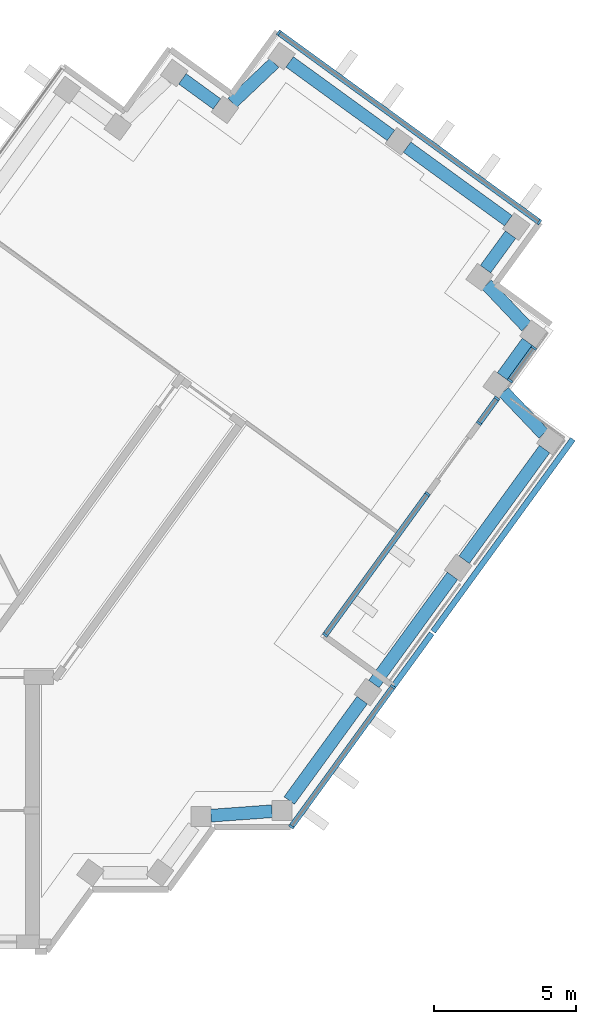
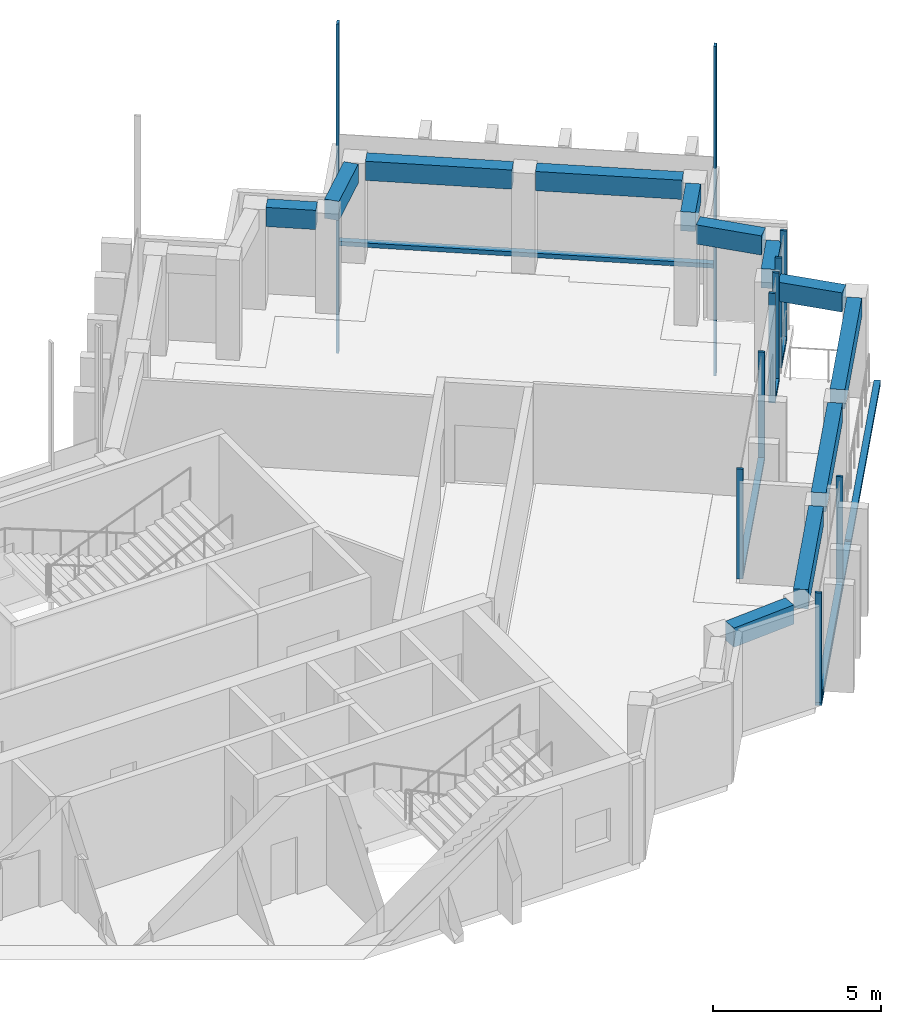
"""IFC4 building model written with IfcOpenShell, lengths in metres."""

from ifc_helpers import new_model, si_unit, direction, frame, origin, origin_2d, place, context, subcontext, project, spatial, rectangle, extrude, material, material_profile, profile_set, type_object, element, aggregate, save


model = new_model("IFC4")

# Units and contexts
model_context = context("Model", 3, precision=1e-05, world=origin(), true_north=direction((0.0, 1.0)))
body_context = subcontext(model_context, "Body", "Model", "MODEL_VIEW")
ifc_project = project(units=[si_unit("LENGTHUNIT", "METRE"), si_unit("AREAUNIT", "SQUARE_METRE"), si_unit("VOLUMEUNIT", "CUBIC_METRE"), si_unit("PLANEANGLEUNIT", "RADIAN"), si_unit("MASSUNIT", "GRAM", prefix="KILO")], contexts=[model_context])

# Site, building, storey
site_placement = place(None, origin())
site = spatial("IfcSite", under=ifc_project, at=site_placement, CompositionType="ELEMENT")
building_placement = place(site_placement, origin())
building = spatial("IfcBuilding", under=site, at=building_placement, Name="Quipu Civic Tower", CompositionType="ELEMENT")
storey_1_placement = place(building_placement, frame((0.0, 0.0, 311.0)))
storey_1 = spatial("IfcBuildingStorey", under=building, at=storey_1_placement, Name="L72", CompositionType="ELEMENT", Elevation=311.0)

# Curtain wall, members
ifc_material_1 = material(Name="Insulated glass unit", Category="glass")
curtain_wall_type = type_object("IfcCurtainWallType", Name="Office curtain wall CW1", PredefinedType="NOTDEFINED", material=ifc_material_1)
curtain_wall_1_placement = place(storey_1_placement, origin())
curtain_wall_1 = element("IfcCurtainWall", 1, at=curtain_wall_1_placement, inside=storey_1, type_object=curtain_wall_type, Name="Office curtain wall CW1 L72 run 1", PredefinedType="NOTDEFINED")
ifc_material_2 = material(Name="Anodised aluminium", Category="aluminium")
ifc_material_profile_1 = material_profile(ifc_material_2, rectangle(XDim=0.199951171875, YDim=0.080078125, at=origin_2d()), Name="RECT 200x80")
ifc_profile_set_1 = profile_set([ifc_material_profile_1], Name="Anodised aluminium")
member_type_1 = type_object("IfcMemberType", Name="Mullion CW1", PredefinedType="MULLION", material=ifc_profile_set_1)
member_1_placement = place(storey_1_placement, frame((28.853271484375, -6.698974609375, 0.080078125), z_axis=(0.0, 0.0, 1.0), x_axis=(-0.809021200129, 0.587779463525, 0.0)))
member_1 = element("IfcMember", 2, at=member_1_placement, type_object=member_type_1, Name="CW1 mullion 1", PredefinedType="MULLION", context=body_context, shape_type="SweptSolid", body=[
    extrude(rectangle(XDim=0.199951171875, YDim=0.080078125, at=origin_2d()), origin(), (0.0, 0.0, 1.0), 4.0),
])
member_2_placement = place(storey_1_placement, frame((32.424560546875, -1.783447265625, 0.080078125), z_axis=(0.0, 0.0, 1.0), x_axis=(-0.809021200129, 0.587779463525, 0.0)))
member_2 = element("IfcMember", 3, at=member_2_placement, type_object=member_type_1, Name="CW1 mullion 2", PredefinedType="MULLION", context=body_context, shape_type="SweptSolid", body=[
    extrude(rectangle(XDim=0.199951171875, YDim=0.080078125, at=origin_2d()), origin(), (0.0, 0.0, 1.0), 4.0),
])

curtain_wall_2_placement = place(storey_1_placement, origin())
curtain_wall_2 = element("IfcCurtainWall", 4, at=curtain_wall_2_placement, inside=storey_1, type_object=curtain_wall_type, Name="Office curtain wall CW1 L72 run 3", PredefinedType="NOTDEFINED")
member_3_placement = place(storey_1_placement, frame((30.04443359375, 0.04443359375, 0.080078125), z_axis=(0.0, 0.0, 1.0), x_axis=(-0.809015003837, 0.587787992023, 0.0)))
member_3 = element("IfcMember", 5, at=member_3_placement, type_object=member_type_1, Name="CW1 mullion 1", PredefinedType="MULLION", context=body_context, shape_type="SweptSolid", body=[
    extrude(rectangle(XDim=0.199951171875, YDim=0.080078125, at=origin_2d()), origin(), (0.0, 0.0, 1.0), 4.0),
])
member_4_placement = place(storey_1_placement, frame((33.6416015625, 4.995361328125, 0.080078125), z_axis=(0.0, 0.0, 1.0), x_axis=(-0.809015003837, 0.587787992023, 0.0)))
member_4 = element("IfcMember", 6, at=member_4_placement, type_object=member_type_1, Name="CW1 mullion 2", PredefinedType="MULLION", context=body_context, shape_type="SweptSolid", body=[
    extrude(rectangle(XDim=0.199951171875, YDim=0.080078125, at=origin_2d()), origin(), (0.0, 0.0, 1.0), 4.0),
])

curtain_wall_3_placement = place(storey_1_placement, origin())
curtain_wall_3 = element("IfcCurtainWall", 7, at=curtain_wall_3_placement, inside=storey_1, type_object=curtain_wall_type, Name="Office curtain wall CW1 L72 run 5", PredefinedType="NOTDEFINED")
member_5_placement = place(storey_1_placement, frame((35.451904296875, 7.487060546875, 0.080078125), z_axis=(0.0, 0.0, 1.0), x_axis=(-0.808995421805, 0.587814943242, 0.0)))
member_5 = element("IfcMember", 8, at=member_5_placement, type_object=member_type_1, Name="CW1 mullion 1", PredefinedType="MULLION", context=body_context, shape_type="SweptSolid", body=[
    extrude(rectangle(XDim=0.199951171875, YDim=0.080078125, at=origin_2d()), origin(), (0.0, 0.0, 1.0), 4.0),
])
member_6_placement = place(storey_1_placement, frame((36.080810546875, 8.352783203125, 0.080078125), z_axis=(0.0, 0.0, 1.0), x_axis=(-0.808995421805, 0.587814943242, 0.0)))
member_6 = element("IfcMember", 9, at=member_6_placement, type_object=member_type_1, Name="CW1 mullion 2", PredefinedType="MULLION", context=body_context, shape_type="SweptSolid", body=[
    extrude(rectangle(XDim=0.199951171875, YDim=0.080078125, at=origin_2d()), origin(), (0.0, 0.0, 1.0), 4.0),
])

curtain_wall_4_placement = place(storey_1_placement, origin())
curtain_wall_4 = element("IfcCurtainWall", 10, at=curtain_wall_4_placement, inside=storey_1, type_object=curtain_wall_type, Name="Office curtain wall CW1 L72 run 6", PredefinedType="NOTDEFINED")
member_7_placement = place(storey_1_placement, frame((36.539306640625, 8.98388671875, 0.080078125), z_axis=(0.0, 0.0, 1.0), x_axis=(-0.809027142165, 0.587771284804, 0.0)))
member_7 = element("IfcMember", 11, at=member_7_placement, type_object=member_type_1, Name="CW1 mullion 1", PredefinedType="MULLION", context=body_context, shape_type="SweptSolid", body=[
    extrude(rectangle(XDim=0.199951171875, YDim=0.080078125, at=origin_2d()), origin(), (0.0, 0.0, 1.0), 4.0),
])
member_8_placement = place(storey_1_placement, frame((37.3740234375, 10.1328125, 0.080078125), z_axis=(0.0, 0.0, 1.0), x_axis=(-0.809027142165, 0.587771284804, 0.0)))
member_8 = element("IfcMember", 12, at=member_8_placement, type_object=member_type_1, Name="CW1 mullion 2", PredefinedType="MULLION", context=body_context, shape_type="SweptSolid", body=[
    extrude(rectangle(XDim=0.199951171875, YDim=0.080078125, at=origin_2d()), origin(), (0.0, 0.0, 1.0), 4.0),
])

curtain_wall_5_placement = place(storey_1_placement, origin())
curtain_wall_5 = element("IfcCurtainWall", 13, at=curtain_wall_5_placement, inside=storey_1, type_object=curtain_wall_type, Name="Office curtain wall CW1 L71 run 6", PredefinedType="NOTDEFINED")
member_9_placement = place(storey_1_placement, frame((37.569091796875, 14.552490234375, -3.919921875), z_axis=(0.0, 0.0, 1.0), x_axis=(-0.587787753918, -0.809015176832, 0.0)))
member_9 = element("IfcMember", 14, at=member_9_placement, type_object=member_type_1, Name="CW1 mullion 1", PredefinedType="MULLION", context=body_context, shape_type="SweptSolid", body=[
    extrude(rectangle(XDim=0.199951171875, YDim=0.080078125, at=origin_2d()), origin(), (0.0, 0.0, 1.0), 12.0),
])
member_10_placement = place(storey_1_placement, frame((28.4111328125, 21.206298828125, -3.919921875), z_axis=(0.0, 0.0, 1.0), x_axis=(-0.587787753918, -0.809015176832, 0.0)))
member_10 = element("IfcMember", 15, at=member_10_placement, type_object=member_type_1, Name="CW1 mullion 2", PredefinedType="MULLION", context=body_context, shape_type="SweptSolid", body=[
    extrude(rectangle(XDim=0.199951171875, YDim=0.080078125, at=origin_2d()), origin(), (0.0, 0.0, 1.0), 12.0),
])

# Beams
ifc_material_3 = material(Name="Concrete C50/60", Category="concrete")
ifc_material_profile_2 = material_profile(ifc_material_3, rectangle(XDim=0.449951171875, YDim=0.699951171875, at=origin_2d()), Name="RC450x700")
ifc_profile_set_2 = profile_set([ifc_material_profile_2], Name="Concrete C50/60")
beam_type = type_object("IfcBeamType", Name="Spandrel beam RC 450x700 C50/60", PredefinedType="SPANDREL", material=ifc_profile_set_2)
beam_1_placement = place(storey_1_placement, frame((26.0244140625, -6.3115234375, 3.300048828125), z_axis=(0.997379352029, 0.072349347934, 0.0), x_axis=(-0.072349347934, 0.997379352029, 0.0)))
element("IfcBeam", 16, at=beam_1_placement, inside=storey_1, type_object=beam_type, Name="Spandrel beam L72 J-Eo.3 to J-Eo.4", PredefinedType="SPANDREL", context=body_context, shape_type="SweptSolid", body=[
    extrude(rectangle(XDim=0.449951171875, YDim=0.699951171875, at=origin_2d()), origin(), (0.0, 0.0, 1.0), 2.15625),
])
beam_2_placement = place(storey_1_placement, frame((28.779296875, -5.780029296875, 3.300048828125), z_axis=(0.58777550284, 0.809024077677, 0.0), x_axis=(-0.809024077677, 0.58777550284, 0.0)))
element("IfcBeam", 17, at=beam_2_placement, inside=storey_1, type_object=beam_type, Name="Spandrel beam L72 J-Eo.4 to E-OUT-01", PredefinedType="SPANDREL", context=body_context, shape_type="SweptSolid", body=[
    extrude(rectangle(XDim=0.449951171875, YDim=0.699951171875, at=origin_2d()), origin(), (0.0, 0.0, 1.0), 4.36083984375),
])
beam_3_placement = place(storey_1_placement, frame((31.75390625, -1.685546875, 3.300048828125), z_axis=(0.587788656305, 0.809014521204, 0.0), x_axis=(-0.809014521204, 0.587788656305, 0.0)))
element("IfcBeam", 18, at=beam_3_placement, inside=storey_1, type_object=beam_type, Name="Spandrel beam L72 E-OUT-01 to E-OUT-02", PredefinedType="SPANDREL", context=body_context, shape_type="SweptSolid", body=[
    extrude(rectangle(XDim=0.449951171875, YDim=0.699951171875, at=origin_2d()), origin(), (0.0, 0.0, 1.0), 4.7001953125),
])
beam_4_placement = place(storey_1_placement, frame((34.927978515625, 2.68310546875, 3.300048828125), z_axis=(0.587905928359, 0.808929304328, 0.0), x_axis=(-0.808929304328, 0.587905928359, 0.0)))
element("IfcBeam", 19, at=beam_4_placement, inside=storey_1, type_object=beam_type, Name="Spandrel beam L72 E-OUT-02 to T-Eo.0-E22", PredefinedType="SPANDREL", context=body_context, shape_type="SweptSolid", body=[
    extrude(rectangle(XDim=0.449951171875, YDim=0.699951171875, at=origin_2d()), origin(), (0.0, 0.0, 1.0), 4.80712890625),
])
beam_5_placement = place(storey_1_placement, frame((37.71484375, 7.11279296875, 3.300048828125), z_axis=(-0.689175330605, 0.724594620244, 0.0), x_axis=(-0.724594620244, -0.689175330605, 0.0)))
element("IfcBeam", 20, at=beam_5_placement, inside=storey_1, type_object=beam_type, Name="Spandrel beam L72 T-Eo.0-E22 to T-Eo.1-E22", PredefinedType="SPANDREL", context=body_context, shape_type="SweptSolid", body=[
    extrude(rectangle(XDim=0.449951171875, YDim=0.699951171875, at=origin_2d()), origin(), (0.0, 0.0, 1.0), 2.033447265625),
])
beam_6_placement = place(storey_1_placement, frame((36.273681640625, 9.12744140625, 3.300048828125), z_axis=(0.587164895097, 0.809467347066, 0.0), x_axis=(-0.809467347066, 0.587164895097, 0.0)))
element("IfcBeam", 21, at=beam_6_placement, inside=storey_1, type_object=beam_type, Name="Spandrel beam L72 T-Eo.1-E22 to T-Eo.2-E22", PredefinedType="SPANDREL", context=body_context, shape_type="SweptSolid", body=[
    extrude(rectangle(XDim=0.449951171875, YDim=0.699951171875, at=origin_2d()), origin(), (0.0, 0.0, 1.0), 1.500244140625),
])
beam_7_placement = place(storey_1_placement, frame((37.114990234375, 10.88330078125, 3.300048828125), z_axis=(-0.688247466856, 0.725475998477, 0.0), x_axis=(-0.725475998477, -0.688247466856, 0.0)))
element("IfcBeam", 22, at=beam_7_placement, inside=storey_1, type_object=beam_type, Name="Spandrel beam L72 T-Eo.2-E22 to T-Eo.3-E22", PredefinedType="SPANDREL", context=body_context, shape_type="SweptSolid", body=[
    extrude(rectangle(XDim=0.449951171875, YDim=0.699951171875, at=origin_2d()), origin(), (0.0, 0.0, 1.0), 2.032958984375),
])
beam_8_placement = place(storey_1_placement, frame((35.6767578125, 12.8994140625, 3.300048828125), z_axis=(0.588345920092, 0.808609348394, 0.0), x_axis=(-0.808609348394, 0.588345920092, 0.0)))
element("IfcBeam", 23, at=beam_8_placement, inside=storey_1, type_object=beam_type, Name="Spandrel beam L72 T-Eo.3-E22 to T-Eo.4-E22", PredefinedType="SPANDREL", context=body_context, shape_type="SweptSolid", body=[
    extrude(rectangle(XDim=0.449951171875, YDim=0.699951171875, at=origin_2d()), origin(), (0.0, 0.0, 1.0), 1.499755859375),
])
beam_9_placement = place(storey_1_placement, frame((36.481689453125, 14.6005859375, 3.300048828125), z_axis=(-0.809117270763, 0.587647208921, 0.0), x_axis=(-0.587647208921, -0.809117270763, 0.0)))
element("IfcBeam", 24, at=beam_9_placement, inside=storey_1, type_object=beam_type, Name="Spandrel beam L72 T-Eo.4-E22 to TIP-E-01-E22", PredefinedType="SPANDREL", context=body_context, shape_type="SweptSolid", body=[
    extrude(rectangle(XDim=0.449951171875, YDim=0.699951171875, at=origin_2d()), origin(), (0.0, 0.0, 1.0), 4.40185546875),
])
beam_10_placement = place(storey_1_placement, frame((32.353759765625, 17.5986328125, 3.300048828125), z_axis=(-0.809146152767, 0.587607439931, 0.0), x_axis=(-0.587607439931, -0.809146152767, 0.0)))
element("IfcBeam", 25, at=beam_10_placement, inside=storey_1, type_object=beam_type, Name="Spandrel beam L72 TIP-E-01-E22 to T-Ei.0-E22", PredefinedType="SPANDREL", context=body_context, shape_type="SweptSolid", body=[
    extrude(rectangle(XDim=0.449951171875, YDim=0.699951171875, at=origin_2d()), origin(), (0.0, 0.0, 1.0), 4.400390625),
])
beam_11_placement = place(storey_1_placement, frame((28.251708984375, 20.14501953125, 3.300048828125), z_axis=(-0.725359138958, -0.688370626574, 0.0), x_axis=(0.688370626574, -0.725359138958, 0.0)))
element("IfcBeam", 26, at=beam_11_placement, inside=storey_1, type_object=beam_type, Name="Spandrel beam L72 T-Ei.0-E22 to T-Ei.1-E22", PredefinedType="SPANDREL", context=body_context, shape_type="SweptSolid", body=[
    extrude(rectangle(XDim=0.449951171875, YDim=0.699951171875, at=origin_2d()), origin(), (0.0, 0.0, 1.0), 2.032958984375),
])
beam_12_placement = place(storey_1_placement, frame((26.236083984375, 18.70654296875, 3.300048828125), z_axis=(-0.808644589435, 0.588297482553, 0.0), x_axis=(-0.588297482553, -0.808644589435, 0.0)))
element("IfcBeam", 27, at=beam_12_placement, inside=storey_1, type_object=beam_type, Name="Spandrel beam L72 T-Ei.1-E22 to T-Ei.2-E22", PredefinedType="SPANDREL", context=body_context, shape_type="SweptSolid", body=[
    extrude(rectangle(XDim=0.449951171875, YDim=0.699951171875, at=origin_2d()), origin(), (0.0, 0.0, 1.0), 1.500244140625),
])

# Storey
storey_2_placement = place(building_placement, frame((0.0, 0.0, 307.0)))
storey_2 = spatial("IfcBuildingStorey", under=building, at=storey_2_placement, Name="L71", CompositionType="ELEMENT", Elevation=307.0)

# Curtain wall, members
curtain_wall_6_placement = place(storey_2_placement, origin())
curtain_wall_6 = element("IfcCurtainWall", 28, at=curtain_wall_6_placement, inside=storey_2, type_object=curtain_wall_type, Name="Office curtain wall CW1 L71 run 1", PredefinedType="NOTDEFINED")
ifc_material_4 = material(Name="Anodised aluminium", Category="aluminium")
ifc_material_profile_3 = material_profile(ifc_material_4, rectangle(XDim=0.199951171875, YDim=0.159912109375, at=origin_2d()), Name="RECT 200x160")
ifc_profile_set_3 = profile_set([ifc_material_profile_3], Name="Anodised aluminium")
member_type_2 = type_object("IfcMemberType", Name="Transom CW1", PredefinedType="USERDEFINED", material=ifc_profile_set_3)
member_11_placement = place(storey_1_placement, frame((28.876708984375, -6.66650390625, 0.0), z_axis=(0.587812107925, 0.808997481935, 0.0), x_axis=(-0.808997481935, 0.587812107925, 0.0)))
member_11 = element("IfcMember", 29, at=member_11_placement, inside=storey_1, type_object=member_type_2, Name="CW1 transom 1.2", ObjectType="TRANSOM", PredefinedType="USERDEFINED", context=body_context, shape_type="SweptSolid", body=[
    extrude(rectangle(XDim=0.199951171875, YDim=0.159912109375, at=origin_2d()), origin(), (0.0, 0.0, 1.0), 8.35791015625),
])
member_12_placement = place(storey_1_placement, frame((33.83642578125, 0.15966796875, 0.0), z_axis=(0.587779098815, 0.809021465102, 0.0), x_axis=(-0.809021465102, 0.587779098815, 0.0)))
member_12 = element("IfcMember", 30, at=member_12_placement, inside=storey_1, type_object=member_type_2, Name="CW1 transom 2.2", ObjectType="TRANSOM", PredefinedType="USERDEFINED", context=body_context, shape_type="SweptSolid", body=[
    extrude(rectangle(XDim=0.199951171875, YDim=0.159912109375, at=origin_2d()), origin(), (0.0, 0.0, 1.0), 8.35791015625),
])
aggregate(curtain_wall_6, [member_11, member_12])

# Member
member_13_placement = place(storey_1_placement, frame((28.876708984375, -6.66650390625, 0.159912109375), z_axis=(0.587786666238, 0.809015967081, 0.0), x_axis=(-0.809015967081, 0.587786666238, 0.0)))
member_13 = element("IfcMember", 31, at=member_13_placement, type_object=member_type_2, Name="CW1 transom 1.1", ObjectType="TRANSOM", PredefinedType="USERDEFINED", context=body_context, shape_type="SweptSolid", body=[
    extrude(rectangle(XDim=0.199951171875, YDim=0.159912109375, at=origin_2d()), origin(), (0.0, 0.0, 1.0), 5.99560546875),
])

aggregate(curtain_wall_1, [member_1, member_2, member_13])

member_14_placement = place(storey_1_placement, frame((30.068115234375, 0.076904296875, 0.159912109375), z_axis=(0.587777430815, 0.809022676953, 0.0), x_axis=(-0.809022676953, 0.587777430815, 0.0)))
member_14 = element("IfcMember", 32, at=member_14_placement, type_object=member_type_2, Name="CW1 transom 1.1", ObjectType="TRANSOM", PredefinedType="USERDEFINED", context=body_context, shape_type="SweptSolid", body=[
    extrude(rectangle(XDim=0.199951171875, YDim=0.159912109375, at=origin_2d()), origin(), (0.0, 0.0, 1.0), 6.039306640625),
])

aggregate(curtain_wall_2, [member_3, member_4, member_14])

member_15_placement = place(storey_1_placement, frame((35.475341796875, 7.51953125, 0.159912109375), z_axis=(0.587819781808, 0.808991906087, 0.0), x_axis=(-0.808991906087, 0.587819781808, 0.0)))
member_15 = element("IfcMember", 33, at=member_15_placement, type_object=member_type_2, Name="CW1 transom 1.1", ObjectType="TRANSOM", PredefinedType="USERDEFINED", context=body_context, shape_type="SweptSolid", body=[
    extrude(rectangle(XDim=0.199951171875, YDim=0.159912109375, at=origin_2d()), origin(), (0.0, 0.0, 1.0), 0.990234375),
])

aggregate(curtain_wall_3, [member_5, member_6, member_15])

member_16_placement = place(storey_1_placement, frame((36.56298828125, 9.01611328125, 0.159912109375), z_axis=(0.587716643915, 0.809066836834, 0.0), x_axis=(-0.809066836834, 0.587716643915, 0.0)))
member_16 = element("IfcMember", 34, at=member_16_placement, type_object=member_type_2, Name="CW1 transom 1.1", ObjectType="TRANSOM", PredefinedType="USERDEFINED", context=body_context, shape_type="SweptSolid", body=[
    extrude(rectangle(XDim=0.199951171875, YDim=0.159912109375, at=origin_2d()), origin(), (0.0, 0.0, 1.0), 1.340087890625),
])

aggregate(curtain_wall_4, [member_7, member_8, member_16])

member_17_placement = place(storey_1_placement, frame((37.536865234375, 14.575927734375, 0.080078125), z_axis=(-0.809022463805, 0.587777724194, 0.0), x_axis=(-0.587777724194, -0.809022463805, 0.0)))
member_17 = element("IfcMember", 35, at=member_17_placement, type_object=member_type_2, Name="CW1 transom 1.2", ObjectType="TRANSOM", PredefinedType="USERDEFINED", context=body_context, shape_type="SweptSolid", body=[
    extrude(rectangle(XDim=0.199951171875, YDim=0.159912109375, at=origin_2d()), origin(), (0.0, 0.0, 1.0), 11.240234375),
])

aggregate(curtain_wall_5, [member_9, member_10, member_17])

save(model, "model.ifc")
